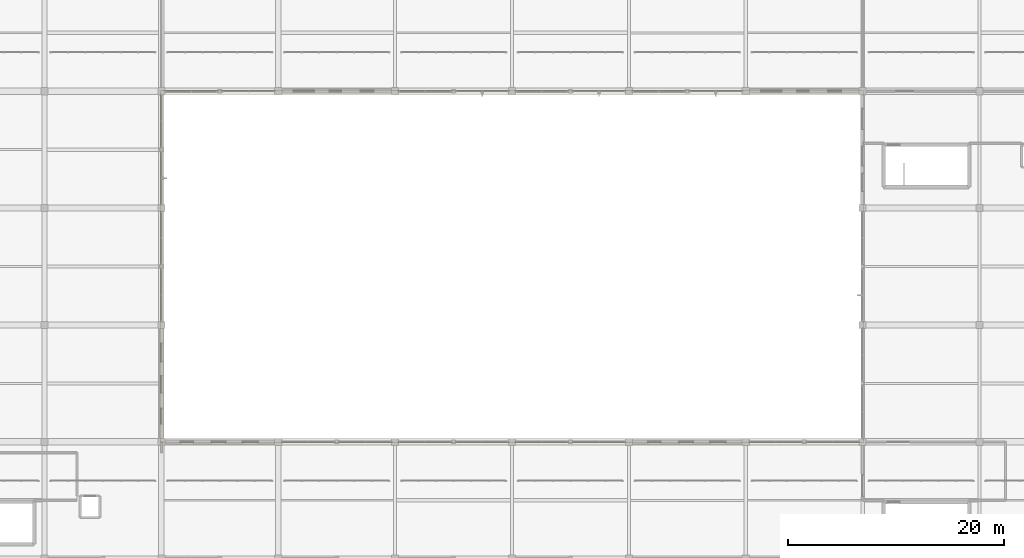
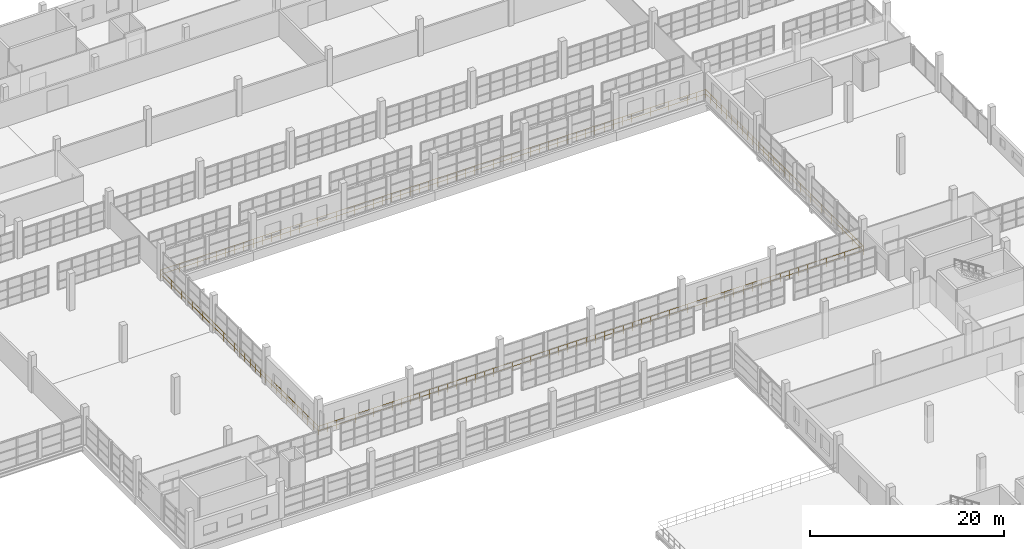
# One storey, part 134 of 142: 1 railing.
"""IFC4 building model written with IfcOpenShell, lengths in metres."""

from ifc_helpers import new_model, si_unit, direction, frame, origin, origin_2d, place, context, subcontext, project, spatial, circle, extrude, material, type_object, element, save


model = new_model("IFC4")

# Units and contexts
model_context = context("Model", 3, precision=1e-05, world=origin(), true_north=direction((0.0, 1.0)))
body_context = subcontext(model_context, "Body", "Model", "MODEL_VIEW")
ifc_project = project(units=[si_unit("LENGTHUNIT", "METRE"), si_unit("AREAUNIT", "SQUARE_METRE"), si_unit("VOLUMEUNIT", "CUBIC_METRE"), si_unit("PLANEANGLEUNIT", "RADIAN"), si_unit("MASSUNIT", "GRAM", prefix="KILO")], contexts=[model_context])

# Site, building, storey
site_placement = place(None, origin())
site = spatial("IfcSite", under=ifc_project, at=site_placement, CompositionType="ELEMENT")
building_placement = place(site_placement, origin())
building = spatial("IfcBuilding", under=site, at=building_placement, Name="Zwinboog Wholesale Market", CompositionType="ELEMENT")
storey_placement = place(building_placement, frame((0.0, 0.0, 5.39990234375)))
storey = spatial("IfcBuildingStorey", under=building, at=storey_placement, Name="L01", CompositionType="ELEMENT", Elevation=5.39990234375)

# Railing
ifc_material = material(Name="Steel S355", Category="steel")
railing_type = type_object("IfcRailingType", Name="RLT-INT-GUARD", PredefinedType="BALUSTRADE", material=ifc_material)
railing_placement = place(storey_placement, frame((86.35009765625, 53.949951171875, 0.0)))
element("IfcRailing", 1, at=railing_placement, inside=storey, type_object=railing_type, Name="GR-02 (RLG-VOID-01)", PredefinedType="BALUSTRADE", context=body_context, shape_type="SweptSolid", body=[
    extrude(circle(Radius=0.02392578125, at=origin_2d()), frame((0.0, 0.0, 1.09619140625), z_axis=(1.0, 0.0, 0.0), x_axis=(0.0, 1.0, 0.0)), (0.0, 0.0, 1.0), 64.89990234375),
    extrude(circle(Radius=0.02392578125, at=origin_2d()), frame((0.0, 0.0, 0.5361328125), z_axis=(1.0, 0.0, 0.0), x_axis=(0.0, 1.0, 0.0)), (0.0, 0.0, 1.0), 64.89990234375),
    extrude(circle(Radius=0.02392578125, at=origin_2d()), frame((64.89990234375, 0.0, 1.09619140625), z_axis=(0.0, 1.0, 0.0), x_axis=(-1.0, 0.0, 0.0)), (0.0, 0.0, 1.0), 32.5),
    extrude(circle(Radius=0.02392578125, at=origin_2d()), frame((64.89990234375, 0.0, 0.5361328125), z_axis=(0.0, 1.0, 0.0), x_axis=(-1.0, 0.0, 0.0)), (0.0, 0.0, 1.0), 32.5),
    extrude(circle(Radius=0.02392578125, at=origin_2d()), frame((64.89990234375, 32.5, 1.09619140625), z_axis=(-1.0, 0.0, 0.0), x_axis=(0.0, -1.0, 0.0)), (0.0, 0.0, 1.0), 64.89990234375),
    extrude(circle(Radius=0.02392578125, at=origin_2d()), frame((64.89990234375, 32.5, 0.5361328125), z_axis=(-1.0, 0.0, 0.0), x_axis=(0.0, -1.0, 0.0)), (0.0, 0.0, 1.0), 64.89990234375),
    extrude(circle(Radius=0.02392578125, at=origin_2d()), frame((0.0, 32.5, 1.09619140625), z_axis=(0.0, -1.0, 0.0), x_axis=(1.0, 0.0, 0.0)), (0.0, 0.0, 1.0), 32.5),
    extrude(circle(Radius=0.02392578125, at=origin_2d()), frame((0.0, 32.5, 0.5361328125), z_axis=(0.0, -1.0, 0.0), x_axis=(1.0, 0.0, 0.0)), (0.0, 0.0, 1.0), 32.5),
    extrude(circle(Radius=0.02099609375, at=origin_2d()), origin(), (0.0, 0.0, 1.0), 1.072021484375),
    extrude(circle(Radius=0.02099609375, at=origin_2d()), frame((1.10009765625, 0.0, 0.0)), (0.0, 0.0, 1.0), 1.072021484375),
    extrude(circle(Radius=0.02099609375, at=origin_2d()), frame((2.199951171875, 0.0, 0.0)), (0.0, 0.0, 1.0), 1.072021484375),
    extrude(circle(Radius=0.02099609375, at=origin_2d()), frame((3.300048828125, 0.0, 0.0)), (0.0, 0.0, 1.0), 1.072021484375),
    extrude(circle(Radius=0.02099609375, at=origin_2d()), frame((4.39990234375, 0.0, 0.0)), (0.0, 0.0, 1.0), 1.072021484375),
    extrude(circle(Radius=0.02099609375, at=origin_2d()), frame((5.5, 0.0, 0.0)), (0.0, 0.0, 1.0), 1.072021484375),
    extrude(circle(Radius=0.02099609375, at=origin_2d()), frame((6.60009765625, 0.0, 0.0)), (0.0, 0.0, 1.0), 1.072021484375),
    extrude(circle(Radius=0.02099609375, at=origin_2d()), frame((7.699951171875, 0.0, 0.0)), (0.0, 0.0, 1.0), 1.072021484375),
    extrude(circle(Radius=0.02099609375, at=origin_2d()), frame((8.800048828125, 0.0, 0.0)), (0.0, 0.0, 1.0), 1.072021484375),
    extrude(circle(Radius=0.02099609375, at=origin_2d()), frame((9.89990234375, 0.0, 0.0)), (0.0, 0.0, 1.0), 1.072021484375),
    extrude(circle(Radius=0.02099609375, at=origin_2d()), frame((11.0, 0.0, 0.0)), (0.0, 0.0, 1.0), 1.072021484375),
    extrude(circle(Radius=0.02099609375, at=origin_2d()), frame((12.10009765625, 0.0, 0.0)), (0.0, 0.0, 1.0), 1.072021484375),
    extrude(circle(Radius=0.02099609375, at=origin_2d()), frame((13.199951171875, 0.0, 0.0)), (0.0, 0.0, 1.0), 1.072021484375),
    extrude(circle(Radius=0.02099609375, at=origin_2d()), frame((14.300048828125, 0.0, 0.0)), (0.0, 0.0, 1.0), 1.072021484375),
    extrude(circle(Radius=0.02099609375, at=origin_2d()), frame((15.39990234375, 0.0, 0.0)), (0.0, 0.0, 1.0), 1.072021484375),
    extrude(circle(Radius=0.02099609375, at=origin_2d()), frame((16.5, 0.0, 0.0)), (0.0, 0.0, 1.0), 1.072021484375),
    extrude(circle(Radius=0.02099609375, at=origin_2d()), frame((17.599853515625, 0.0, 0.0)), (0.0, 0.0, 1.0), 1.072021484375),
    extrude(circle(Radius=0.02099609375, at=origin_2d()), frame((18.699951171875, 0.0, 0.0)), (0.0, 0.0, 1.0), 1.072021484375),
    extrude(circle(Radius=0.02099609375, at=origin_2d()), frame((19.800048828125, 0.0, 0.0)), (0.0, 0.0, 1.0), 1.072021484375),
    extrude(circle(Radius=0.02099609375, at=origin_2d()), frame((20.89990234375, 0.0, 0.0)), (0.0, 0.0, 1.0), 1.072021484375),
    extrude(circle(Radius=0.02099609375, at=origin_2d()), frame((22.0, 0.0, 0.0)), (0.0, 0.0, 1.0), 1.072021484375),
    extrude(circle(Radius=0.02099609375, at=origin_2d()), frame((23.099853515625, 0.0, 0.0)), (0.0, 0.0, 1.0), 1.072021484375),
    extrude(circle(Radius=0.02099609375, at=origin_2d()), frame((24.199951171875, 0.0, 0.0)), (0.0, 0.0, 1.0), 1.072021484375),
    extrude(circle(Radius=0.02099609375, at=origin_2d()), frame((25.300048828125, 0.0, 0.0)), (0.0, 0.0, 1.0), 1.072021484375),
    extrude(circle(Radius=0.02099609375, at=origin_2d()), frame((26.39990234375, 0.0, 0.0)), (0.0, 0.0, 1.0), 1.072021484375),
    extrude(circle(Radius=0.02099609375, at=origin_2d()), frame((27.5, 0.0, 0.0)), (0.0, 0.0, 1.0), 1.072021484375),
    extrude(circle(Radius=0.02099609375, at=origin_2d()), frame((28.599853515625, 0.0, 0.0)), (0.0, 0.0, 1.0), 1.072021484375),
    extrude(circle(Radius=0.02099609375, at=origin_2d()), frame((29.699951171875, 0.0, 0.0)), (0.0, 0.0, 1.0), 1.072021484375),
    extrude(circle(Radius=0.02099609375, at=origin_2d()), frame((30.800048828125, 0.0, 0.0)), (0.0, 0.0, 1.0), 1.072021484375),
    extrude(circle(Radius=0.02099609375, at=origin_2d()), frame((31.89990234375, 0.0, 0.0)), (0.0, 0.0, 1.0), 1.072021484375),
    extrude(circle(Radius=0.02099609375, at=origin_2d()), frame((33.0, 0.0, 0.0)), (0.0, 0.0, 1.0), 1.072021484375),
    extrude(circle(Radius=0.02099609375, at=origin_2d()), frame((34.099853515625, 0.0, 0.0)), (0.0, 0.0, 1.0), 1.072021484375),
    extrude(circle(Radius=0.02099609375, at=origin_2d()), frame((35.199951171875, 0.0, 0.0)), (0.0, 0.0, 1.0), 1.072021484375),
    extrude(circle(Radius=0.02099609375, at=origin_2d()), frame((36.300048828125, 0.0, 0.0)), (0.0, 0.0, 1.0), 1.072021484375),
    extrude(circle(Radius=0.02099609375, at=origin_2d()), frame((37.39990234375, 0.0, 0.0)), (0.0, 0.0, 1.0), 1.072021484375),
    extrude(circle(Radius=0.02099609375, at=origin_2d()), frame((38.5, 0.0, 0.0)), (0.0, 0.0, 1.0), 1.072021484375),
    extrude(circle(Radius=0.02099609375, at=origin_2d()), frame((39.599853515625, 0.0, 0.0)), (0.0, 0.0, 1.0), 1.072021484375),
    extrude(circle(Radius=0.02099609375, at=origin_2d()), frame((40.699951171875, 0.0, 0.0)), (0.0, 0.0, 1.0), 1.072021484375),
    extrude(circle(Radius=0.02099609375, at=origin_2d()), frame((41.800048828125, 0.0, 0.0)), (0.0, 0.0, 1.0), 1.072021484375),
    extrude(circle(Radius=0.02099609375, at=origin_2d()), frame((42.89990234375, 0.0, 0.0)), (0.0, 0.0, 1.0), 1.072021484375),
    extrude(circle(Radius=0.02099609375, at=origin_2d()), frame((44.0, 0.0, 0.0)), (0.0, 0.0, 1.0), 1.072021484375),
    extrude(circle(Radius=0.02099609375, at=origin_2d()), frame((45.099853515625, 0.0, 0.0)), (0.0, 0.0, 1.0), 1.072021484375),
    extrude(circle(Radius=0.02099609375, at=origin_2d()), frame((46.199951171875, 0.0, 0.0)), (0.0, 0.0, 1.0), 1.072021484375),
    extrude(circle(Radius=0.02099609375, at=origin_2d()), frame((47.300048828125, 0.0, 0.0)), (0.0, 0.0, 1.0), 1.072021484375),
    extrude(circle(Radius=0.02099609375, at=origin_2d()), frame((48.39990234375, 0.0, 0.0)), (0.0, 0.0, 1.0), 1.072021484375),
    extrude(circle(Radius=0.02099609375, at=origin_2d()), frame((49.5, 0.0, 0.0)), (0.0, 0.0, 1.0), 1.072021484375),
    extrude(circle(Radius=0.02099609375, at=origin_2d()), frame((50.599853515625, 0.0, 0.0)), (0.0, 0.0, 1.0), 1.072021484375),
    extrude(circle(Radius=0.02099609375, at=origin_2d()), frame((51.699951171875, 0.0, 0.0)), (0.0, 0.0, 1.0), 1.072021484375),
    extrude(circle(Radius=0.02099609375, at=origin_2d()), frame((52.7998046875, 0.0, 0.0)), (0.0, 0.0, 1.0), 1.072021484375),
    extrude(circle(Radius=0.02099609375, at=origin_2d()), frame((53.89990234375, 0.0, 0.0)), (0.0, 0.0, 1.0), 1.072021484375),
    extrude(circle(Radius=0.02099609375, at=origin_2d()), frame((55.0, 0.0, 0.0)), (0.0, 0.0, 1.0), 1.072021484375),
    extrude(circle(Radius=0.02099609375, at=origin_2d()), frame((56.099853515625, 0.0, 0.0)), (0.0, 0.0, 1.0), 1.072021484375),
    extrude(circle(Radius=0.02099609375, at=origin_2d()), frame((57.199951171875, 0.0, 0.0)), (0.0, 0.0, 1.0), 1.072021484375),
    extrude(circle(Radius=0.02099609375, at=origin_2d()), frame((58.2998046875, 0.0, 0.0)), (0.0, 0.0, 1.0), 1.072021484375),
    extrude(circle(Radius=0.02099609375, at=origin_2d()), frame((59.39990234375, 0.0, 0.0)), (0.0, 0.0, 1.0), 1.072021484375),
    extrude(circle(Radius=0.02099609375, at=origin_2d()), frame((60.5, 0.0, 0.0)), (0.0, 0.0, 1.0), 1.072021484375),
    extrude(circle(Radius=0.02099609375, at=origin_2d()), frame((61.599853515625, 0.0, 0.0)), (0.0, 0.0, 1.0), 1.072021484375),
    extrude(circle(Radius=0.02099609375, at=origin_2d()), frame((62.699951171875, 0.0, 0.0)), (0.0, 0.0, 1.0), 1.072021484375),
    extrude(circle(Radius=0.02099609375, at=origin_2d()), frame((63.7998046875, 0.0, 0.0)), (0.0, 0.0, 1.0), 1.072021484375),
    extrude(circle(Radius=0.02099609375, at=origin_2d()), frame((64.89990234375, 0.0, 0.0)), (0.0, 0.0, 1.0), 1.072021484375),
    extrude(circle(Radius=0.02099609375, at=origin_2d()), frame((64.89990234375, 1.083251953125, 0.0)), (0.0, 0.0, 1.0), 1.072021484375),
    extrude(circle(Radius=0.02099609375, at=origin_2d()), frame((64.89990234375, 2.166748046875, 0.0)), (0.0, 0.0, 1.0), 1.072021484375),
    extrude(circle(Radius=0.02099609375, at=origin_2d()), frame((64.89990234375, 3.25, 0.0)), (0.0, 0.0, 1.0), 1.072021484375),
    extrude(circle(Radius=0.02099609375, at=origin_2d()), frame((64.89990234375, 4.333251953125, 0.0)), (0.0, 0.0, 1.0), 1.072021484375),
    extrude(circle(Radius=0.02099609375, at=origin_2d()), frame((64.89990234375, 5.416748046875, 0.0)), (0.0, 0.0, 1.0), 1.072021484375),
    extrude(circle(Radius=0.02099609375, at=origin_2d()), frame((64.89990234375, 6.5, 0.0)), (0.0, 0.0, 1.0), 1.072021484375),
    extrude(circle(Radius=0.02099609375, at=origin_2d()), frame((64.89990234375, 7.583251953125, 0.0)), (0.0, 0.0, 1.0), 1.072021484375),
    extrude(circle(Radius=0.02099609375, at=origin_2d()), frame((64.89990234375, 8.666748046875, 0.0)), (0.0, 0.0, 1.0), 1.072021484375),
    extrude(circle(Radius=0.02099609375, at=origin_2d()), frame((64.89990234375, 9.75, 0.0)), (0.0, 0.0, 1.0), 1.072021484375),
    extrude(circle(Radius=0.02099609375, at=origin_2d()), frame((64.89990234375, 10.833251953125, 0.0)), (0.0, 0.0, 1.0), 1.072021484375),
    extrude(circle(Radius=0.02099609375, at=origin_2d()), frame((64.89990234375, 11.916748046875, 0.0)), (0.0, 0.0, 1.0), 1.072021484375),
    extrude(circle(Radius=0.02099609375, at=origin_2d()), frame((64.89990234375, 13.0, 0.0)), (0.0, 0.0, 1.0), 1.072021484375),
    extrude(circle(Radius=0.02099609375, at=origin_2d()), frame((64.89990234375, 14.083251953125, 0.0)), (0.0, 0.0, 1.0), 1.072021484375),
    extrude(circle(Radius=0.02099609375, at=origin_2d()), frame((64.89990234375, 15.166748046875, 0.0)), (0.0, 0.0, 1.0), 1.072021484375),
    extrude(circle(Radius=0.02099609375, at=origin_2d()), frame((64.89990234375, 16.25, 0.0)), (0.0, 0.0, 1.0), 1.072021484375),
    extrude(circle(Radius=0.02099609375, at=origin_2d()), frame((64.89990234375, 17.333251953125, 0.0)), (0.0, 0.0, 1.0), 1.072021484375),
    extrude(circle(Radius=0.02099609375, at=origin_2d()), frame((64.89990234375, 18.416748046875, 0.0)), (0.0, 0.0, 1.0), 1.072021484375),
    extrude(circle(Radius=0.02099609375, at=origin_2d()), frame((64.89990234375, 19.5, 0.0)), (0.0, 0.0, 1.0), 1.072021484375),
    extrude(circle(Radius=0.02099609375, at=origin_2d()), frame((64.89990234375, 20.583251953125, 0.0)), (0.0, 0.0, 1.0), 1.072021484375),
    extrude(circle(Radius=0.02099609375, at=origin_2d()), frame((64.89990234375, 21.666748046875, 0.0)), (0.0, 0.0, 1.0), 1.072021484375),
    extrude(circle(Radius=0.02099609375, at=origin_2d()), frame((64.89990234375, 22.75, 0.0)), (0.0, 0.0, 1.0), 1.072021484375),
    extrude(circle(Radius=0.02099609375, at=origin_2d()), frame((64.89990234375, 23.833251953125, 0.0)), (0.0, 0.0, 1.0), 1.072021484375),
    extrude(circle(Radius=0.02099609375, at=origin_2d()), frame((64.89990234375, 24.916748046875, 0.0)), (0.0, 0.0, 1.0), 1.072021484375),
    extrude(circle(Radius=0.02099609375, at=origin_2d()), frame((64.89990234375, 26.0, 0.0)), (0.0, 0.0, 1.0), 1.072021484375),
    extrude(circle(Radius=0.02099609375, at=origin_2d()), frame((64.89990234375, 27.083251953125, 0.0)), (0.0, 0.0, 1.0), 1.072021484375),
    extrude(circle(Radius=0.02099609375, at=origin_2d()), frame((64.89990234375, 28.166748046875, 0.0)), (0.0, 0.0, 1.0), 1.072021484375),
    extrude(circle(Radius=0.02099609375, at=origin_2d()), frame((64.89990234375, 29.25, 0.0)), (0.0, 0.0, 1.0), 1.072021484375),
    extrude(circle(Radius=0.02099609375, at=origin_2d()), frame((64.89990234375, 30.333251953125, 0.0)), (0.0, 0.0, 1.0), 1.072021484375),
    extrude(circle(Radius=0.02099609375, at=origin_2d()), frame((64.89990234375, 31.416748046875, 0.0)), (0.0, 0.0, 1.0), 1.072021484375),
    extrude(circle(Radius=0.02099609375, at=origin_2d()), frame((64.89990234375, 32.5, 0.0)), (0.0, 0.0, 1.0), 1.072021484375),
    extrude(circle(Radius=0.02099609375, at=origin_2d()), frame((63.7998046875, 32.5, 0.0)), (0.0, 0.0, 1.0), 1.072021484375),
    extrude(circle(Radius=0.02099609375, at=origin_2d()), frame((62.699951171875, 32.5, 0.0)), (0.0, 0.0, 1.0), 1.072021484375),
    extrude(circle(Radius=0.02099609375, at=origin_2d()), frame((61.599853515625, 32.5, 0.0)), (0.0, 0.0, 1.0), 1.072021484375),
    extrude(circle(Radius=0.02099609375, at=origin_2d()), frame((60.5, 32.5, 0.0)), (0.0, 0.0, 1.0), 1.072021484375),
    extrude(circle(Radius=0.02099609375, at=origin_2d()), frame((59.39990234375, 32.5, 0.0)), (0.0, 0.0, 1.0), 1.072021484375),
    extrude(circle(Radius=0.02099609375, at=origin_2d()), frame((58.2998046875, 32.5, 0.0)), (0.0, 0.0, 1.0), 1.072021484375),
    extrude(circle(Radius=0.02099609375, at=origin_2d()), frame((57.199951171875, 32.5, 0.0)), (0.0, 0.0, 1.0), 1.072021484375),
    extrude(circle(Radius=0.02099609375, at=origin_2d()), frame((56.099853515625, 32.5, 0.0)), (0.0, 0.0, 1.0), 1.072021484375),
    extrude(circle(Radius=0.02099609375, at=origin_2d()), frame((55.0, 32.5, 0.0)), (0.0, 0.0, 1.0), 1.072021484375),
    extrude(circle(Radius=0.02099609375, at=origin_2d()), frame((53.89990234375, 32.5, 0.0)), (0.0, 0.0, 1.0), 1.072021484375),
    extrude(circle(Radius=0.02099609375, at=origin_2d()), frame((52.7998046875, 32.5, 0.0)), (0.0, 0.0, 1.0), 1.072021484375),
    extrude(circle(Radius=0.02099609375, at=origin_2d()), frame((51.699951171875, 32.5, 0.0)), (0.0, 0.0, 1.0), 1.072021484375),
    extrude(circle(Radius=0.02099609375, at=origin_2d()), frame((50.599853515625, 32.5, 0.0)), (0.0, 0.0, 1.0), 1.072021484375),
    extrude(circle(Radius=0.02099609375, at=origin_2d()), frame((49.5, 32.5, 0.0)), (0.0, 0.0, 1.0), 1.072021484375),
    extrude(circle(Radius=0.02099609375, at=origin_2d()), frame((48.39990234375, 32.5, 0.0)), (0.0, 0.0, 1.0), 1.072021484375),
    extrude(circle(Radius=0.02099609375, at=origin_2d()), frame((47.300048828125, 32.5, 0.0)), (0.0, 0.0, 1.0), 1.072021484375),
    extrude(circle(Radius=0.02099609375, at=origin_2d()), frame((46.199951171875, 32.5, 0.0)), (0.0, 0.0, 1.0), 1.072021484375),
    extrude(circle(Radius=0.02099609375, at=origin_2d()), frame((45.099853515625, 32.5, 0.0)), (0.0, 0.0, 1.0), 1.072021484375),
    extrude(circle(Radius=0.02099609375, at=origin_2d()), frame((44.0, 32.5, 0.0)), (0.0, 0.0, 1.0), 1.072021484375),
    extrude(circle(Radius=0.02099609375, at=origin_2d()), frame((42.89990234375, 32.5, 0.0)), (0.0, 0.0, 1.0), 1.072021484375),
    extrude(circle(Radius=0.02099609375, at=origin_2d()), frame((41.800048828125, 32.5, 0.0)), (0.0, 0.0, 1.0), 1.072021484375),
    extrude(circle(Radius=0.02099609375, at=origin_2d()), frame((40.699951171875, 32.5, 0.0)), (0.0, 0.0, 1.0), 1.072021484375),
    extrude(circle(Radius=0.02099609375, at=origin_2d()), frame((39.599853515625, 32.5, 0.0)), (0.0, 0.0, 1.0), 1.072021484375),
    extrude(circle(Radius=0.02099609375, at=origin_2d()), frame((38.5, 32.5, 0.0)), (0.0, 0.0, 1.0), 1.072021484375),
    extrude(circle(Radius=0.02099609375, at=origin_2d()), frame((37.39990234375, 32.5, 0.0)), (0.0, 0.0, 1.0), 1.072021484375),
    extrude(circle(Radius=0.02099609375, at=origin_2d()), frame((36.300048828125, 32.5, 0.0)), (0.0, 0.0, 1.0), 1.072021484375),
    extrude(circle(Radius=0.02099609375, at=origin_2d()), frame((35.199951171875, 32.5, 0.0)), (0.0, 0.0, 1.0), 1.072021484375),
    extrude(circle(Radius=0.02099609375, at=origin_2d()), frame((34.099853515625, 32.5, 0.0)), (0.0, 0.0, 1.0), 1.072021484375),
    extrude(circle(Radius=0.02099609375, at=origin_2d()), frame((33.0, 32.5, 0.0)), (0.0, 0.0, 1.0), 1.072021484375),
    extrude(circle(Radius=0.02099609375, at=origin_2d()), frame((31.89990234375, 32.5, 0.0)), (0.0, 0.0, 1.0), 1.072021484375),
    extrude(circle(Radius=0.02099609375, at=origin_2d()), frame((30.800048828125, 32.5, 0.0)), (0.0, 0.0, 1.0), 1.072021484375),
    extrude(circle(Radius=0.02099609375, at=origin_2d()), frame((29.699951171875, 32.5, 0.0)), (0.0, 0.0, 1.0), 1.072021484375),
    extrude(circle(Radius=0.02099609375, at=origin_2d()), frame((28.599853515625, 32.5, 0.0)), (0.0, 0.0, 1.0), 1.072021484375),
    extrude(circle(Radius=0.02099609375, at=origin_2d()), frame((27.5, 32.5, 0.0)), (0.0, 0.0, 1.0), 1.072021484375),
    extrude(circle(Radius=0.02099609375, at=origin_2d()), frame((26.39990234375, 32.5, 0.0)), (0.0, 0.0, 1.0), 1.072021484375),
    extrude(circle(Radius=0.02099609375, at=origin_2d()), frame((25.300048828125, 32.5, 0.0)), (0.0, 0.0, 1.0), 1.072021484375),
    extrude(circle(Radius=0.02099609375, at=origin_2d()), frame((24.199951171875, 32.5, 0.0)), (0.0, 0.0, 1.0), 1.072021484375),
    extrude(circle(Radius=0.02099609375, at=origin_2d()), frame((23.099853515625, 32.5, 0.0)), (0.0, 0.0, 1.0), 1.072021484375),
    extrude(circle(Radius=0.02099609375, at=origin_2d()), frame((22.0, 32.5, 0.0)), (0.0, 0.0, 1.0), 1.072021484375),
    extrude(circle(Radius=0.02099609375, at=origin_2d()), frame((20.89990234375, 32.5, 0.0)), (0.0, 0.0, 1.0), 1.072021484375),
    extrude(circle(Radius=0.02099609375, at=origin_2d()), frame((19.800048828125, 32.5, 0.0)), (0.0, 0.0, 1.0), 1.072021484375),
    extrude(circle(Radius=0.02099609375, at=origin_2d()), frame((18.699951171875, 32.5, 0.0)), (0.0, 0.0, 1.0), 1.072021484375),
    extrude(circle(Radius=0.02099609375, at=origin_2d()), frame((17.599853515625, 32.5, 0.0)), (0.0, 0.0, 1.0), 1.072021484375),
    extrude(circle(Radius=0.02099609375, at=origin_2d()), frame((16.5, 32.5, 0.0)), (0.0, 0.0, 1.0), 1.072021484375),
    extrude(circle(Radius=0.02099609375, at=origin_2d()), frame((15.39990234375, 32.5, 0.0)), (0.0, 0.0, 1.0), 1.072021484375),
    extrude(circle(Radius=0.02099609375, at=origin_2d()), frame((14.300048828125, 32.5, 0.0)), (0.0, 0.0, 1.0), 1.072021484375),
    extrude(circle(Radius=0.02099609375, at=origin_2d()), frame((13.199951171875, 32.5, 0.0)), (0.0, 0.0, 1.0), 1.072021484375),
    extrude(circle(Radius=0.02099609375, at=origin_2d()), frame((12.10009765625, 32.5, 0.0)), (0.0, 0.0, 1.0), 1.072021484375),
    extrude(circle(Radius=0.02099609375, at=origin_2d()), frame((11.0, 32.5, 0.0)), (0.0, 0.0, 1.0), 1.072021484375),
    extrude(circle(Radius=0.02099609375, at=origin_2d()), frame((9.89990234375, 32.5, 0.0)), (0.0, 0.0, 1.0), 1.072021484375),
    extrude(circle(Radius=0.02099609375, at=origin_2d()), frame((8.800048828125, 32.5, 0.0)), (0.0, 0.0, 1.0), 1.072021484375),
    extrude(circle(Radius=0.02099609375, at=origin_2d()), frame((7.699951171875, 32.5, 0.0)), (0.0, 0.0, 1.0), 1.072021484375),
    extrude(circle(Radius=0.02099609375, at=origin_2d()), frame((6.60009765625, 32.5, 0.0)), (0.0, 0.0, 1.0), 1.072021484375),
    extrude(circle(Radius=0.02099609375, at=origin_2d()), frame((5.5, 32.5, 0.0)), (0.0, 0.0, 1.0), 1.072021484375),
    extrude(circle(Radius=0.02099609375, at=origin_2d()), frame((4.39990234375, 32.5, 0.0)), (0.0, 0.0, 1.0), 1.072021484375),
    extrude(circle(Radius=0.02099609375, at=origin_2d()), frame((3.300048828125, 32.5, 0.0)), (0.0, 0.0, 1.0), 1.072021484375),
    extrude(circle(Radius=0.02099609375, at=origin_2d()), frame((2.199951171875, 32.5, 0.0)), (0.0, 0.0, 1.0), 1.072021484375),
    extrude(circle(Radius=0.02099609375, at=origin_2d()), frame((1.10009765625, 32.5, 0.0)), (0.0, 0.0, 1.0), 1.072021484375),
    extrude(circle(Radius=0.02099609375, at=origin_2d()), frame((0.0, 32.5, 0.0)), (0.0, 0.0, 1.0), 1.072021484375),
    extrude(circle(Radius=0.02099609375, at=origin_2d()), frame((0.0, 31.416748046875, 0.0)), (0.0, 0.0, 1.0), 1.072021484375),
    extrude(circle(Radius=0.02099609375, at=origin_2d()), frame((0.0, 30.333251953125, 0.0)), (0.0, 0.0, 1.0), 1.072021484375),
    extrude(circle(Radius=0.02099609375, at=origin_2d()), frame((0.0, 29.25, 0.0)), (0.0, 0.0, 1.0), 1.072021484375),
    extrude(circle(Radius=0.02099609375, at=origin_2d()), frame((0.0, 28.166748046875, 0.0)), (0.0, 0.0, 1.0), 1.072021484375),
    extrude(circle(Radius=0.02099609375, at=origin_2d()), frame((0.0, 27.083251953125, 0.0)), (0.0, 0.0, 1.0), 1.072021484375),
    extrude(circle(Radius=0.02099609375, at=origin_2d()), frame((0.0, 26.0, 0.0)), (0.0, 0.0, 1.0), 1.072021484375),
    extrude(circle(Radius=0.02099609375, at=origin_2d()), frame((0.0, 24.916748046875, 0.0)), (0.0, 0.0, 1.0), 1.072021484375),
    extrude(circle(Radius=0.02099609375, at=origin_2d()), frame((0.0, 23.833251953125, 0.0)), (0.0, 0.0, 1.0), 1.072021484375),
    extrude(circle(Radius=0.02099609375, at=origin_2d()), frame((0.0, 22.75, 0.0)), (0.0, 0.0, 1.0), 1.072021484375),
    extrude(circle(Radius=0.02099609375, at=origin_2d()), frame((0.0, 21.666748046875, 0.0)), (0.0, 0.0, 1.0), 1.072021484375),
    extrude(circle(Radius=0.02099609375, at=origin_2d()), frame((0.0, 20.583251953125, 0.0)), (0.0, 0.0, 1.0), 1.072021484375),
    extrude(circle(Radius=0.02099609375, at=origin_2d()), frame((0.0, 19.5, 0.0)), (0.0, 0.0, 1.0), 1.072021484375),
    extrude(circle(Radius=0.02099609375, at=origin_2d()), frame((0.0, 18.416748046875, 0.0)), (0.0, 0.0, 1.0), 1.072021484375),
    extrude(circle(Radius=0.02099609375, at=origin_2d()), frame((0.0, 17.333251953125, 0.0)), (0.0, 0.0, 1.0), 1.072021484375),
    extrude(circle(Radius=0.02099609375, at=origin_2d()), frame((0.0, 16.25, 0.0)), (0.0, 0.0, 1.0), 1.072021484375),
    extrude(circle(Radius=0.02099609375, at=origin_2d()), frame((0.0, 15.166748046875, 0.0)), (0.0, 0.0, 1.0), 1.072021484375),
    extrude(circle(Radius=0.02099609375, at=origin_2d()), frame((0.0, 14.083251953125, 0.0)), (0.0, 0.0, 1.0), 1.072021484375),
    extrude(circle(Radius=0.02099609375, at=origin_2d()), frame((0.0, 13.0, 0.0)), (0.0, 0.0, 1.0), 1.072021484375),
    extrude(circle(Radius=0.02099609375, at=origin_2d()), frame((0.0, 11.916748046875, 0.0)), (0.0, 0.0, 1.0), 1.072021484375),
    extrude(circle(Radius=0.02099609375, at=origin_2d()), frame((0.0, 10.833251953125, 0.0)), (0.0, 0.0, 1.0), 1.072021484375),
    extrude(circle(Radius=0.02099609375, at=origin_2d()), frame((0.0, 9.75, 0.0)), (0.0, 0.0, 1.0), 1.072021484375),
    extrude(circle(Radius=0.02099609375, at=origin_2d()), frame((0.0, 8.666748046875, 0.0)), (0.0, 0.0, 1.0), 1.072021484375),
    extrude(circle(Radius=0.02099609375, at=origin_2d()), frame((0.0, 7.583251953125, 0.0)), (0.0, 0.0, 1.0), 1.072021484375),
    extrude(circle(Radius=0.02099609375, at=origin_2d()), frame((0.0, 6.5, 0.0)), (0.0, 0.0, 1.0), 1.072021484375),
    extrude(circle(Radius=0.02099609375, at=origin_2d()), frame((0.0, 5.416748046875, 0.0)), (0.0, 0.0, 1.0), 1.072021484375),
    extrude(circle(Radius=0.02099609375, at=origin_2d()), frame((0.0, 4.333251953125, 0.0)), (0.0, 0.0, 1.0), 1.072021484375),
    extrude(circle(Radius=0.02099609375, at=origin_2d()), frame((0.0, 3.25, 0.0)), (0.0, 0.0, 1.0), 1.072021484375),
    extrude(circle(Radius=0.02099609375, at=origin_2d()), frame((0.0, 2.166748046875, 0.0)), (0.0, 0.0, 1.0), 1.072021484375),
    extrude(circle(Radius=0.02099609375, at=origin_2d()), frame((0.0, 1.083251953125, 0.0)), (0.0, 0.0, 1.0), 1.072021484375),
])

save(model, "model.ifc")
